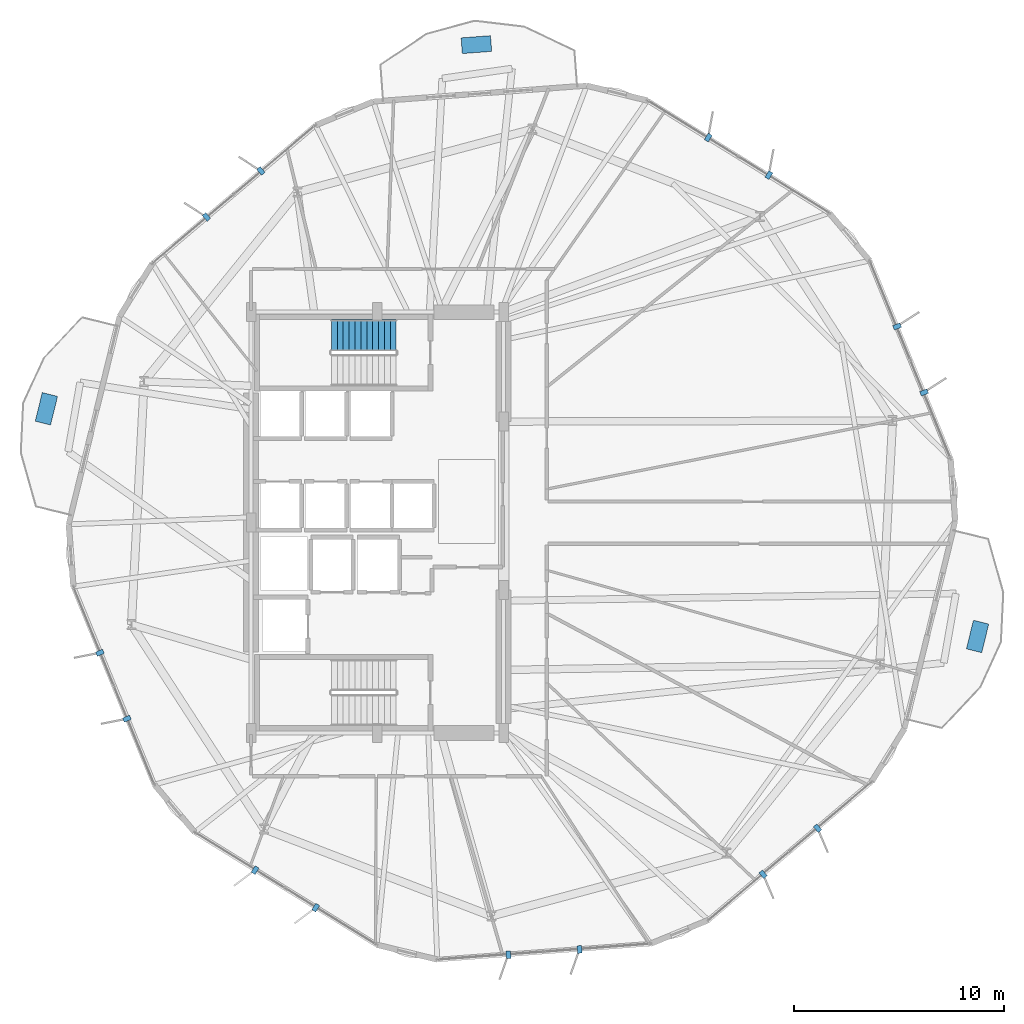
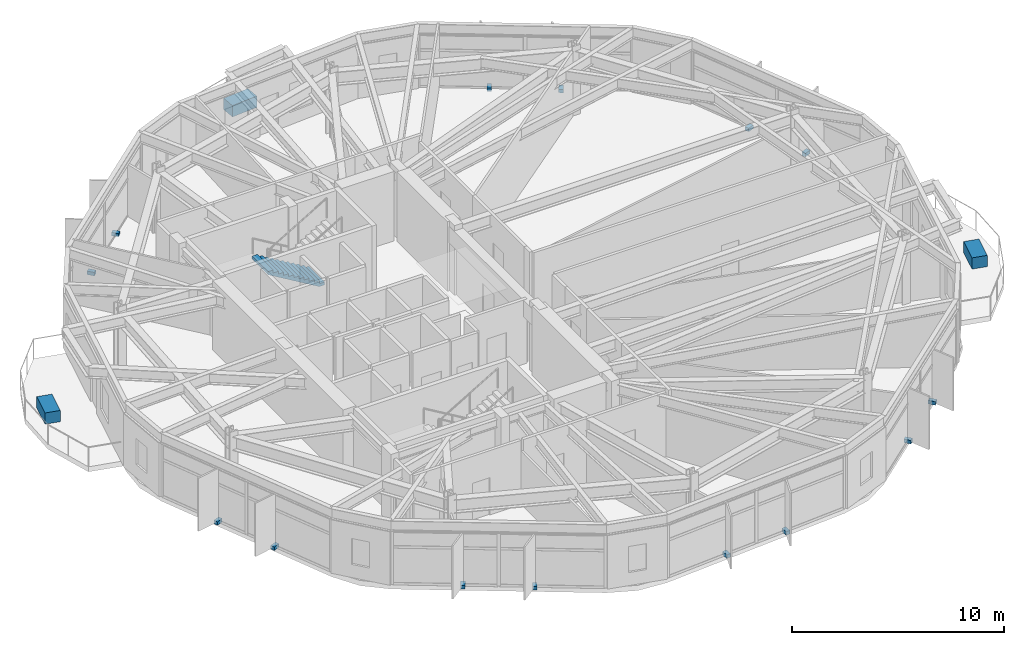
# One storey, part 19 of 22: 17 discrete accessories, 1 stair flight, 1 element without a shape of its own.
"""IFC4 building model written with IfcOpenShell, lengths in metres."""

from ifc_helpers import new_model, si_unit, direction, frame, origin, origin_2d, place, context, subcontext, project, spatial, polyline, rectangle, outline, extrude, material, layer, layer_set, type_object, element, aggregate, save


model = new_model("IFC4")

# Units and contexts
model_context = context("Model", 3, precision=1e-05, world=origin(), true_north=direction((0.0, 1.0)))
body_context = subcontext(model_context, "Body", "Model", "MODEL_VIEW")
ifc_project = project(units=[si_unit("LENGTHUNIT", "METRE"), si_unit("AREAUNIT", "SQUARE_METRE"), si_unit("VOLUMEUNIT", "CUBIC_METRE"), si_unit("PLANEANGLEUNIT", "RADIAN"), si_unit("MASSUNIT", "GRAM", prefix="KILO")], contexts=[model_context])

# Site, building, storey
site_placement = place(None, origin())
site = spatial("IfcSite", under=ifc_project, at=site_placement, CompositionType="ELEMENT")
building_placement = place(site_placement, origin())
building = spatial("IfcBuilding", under=site, at=building_placement, Name="Soratama Intermodal Tower", CompositionType="ELEMENT")
storey_placement = place(building_placement, frame((0.0, 0.0, 46.60009765625)))
storey = spatial("IfcBuildingStorey", under=building, at=storey_placement, Name="L10", CompositionType="ELEMENT", Elevation=46.60009765625)

# Stair, stair flight
ifc_material_1 = material(Name="Concrete f'c 42 MPa", Category="concrete")
stair_type = type_object("IfcStairType", Name="ST-CORE-DOGLEG", PredefinedType="HALF_TURN_STAIR", material=ifc_material_1)
stair_placement = place(storey_placement, origin())
stair = element("IfcStair", 1, at=stair_placement, inside=storey, type_object=stair_type, Name="L10 ST-2", PredefinedType="HALF_TURN_STAIR")
ifc_material_2 = material(Name="Precast concrete f'c 40 MPa", Category="concrete")
ifc_layer = layer(ifc_material_2, 0.199951171875)
ifc_layer_set = layer_set([ifc_layer], Name="Precast concrete f'c 40 MPa")
stair_flight_type = type_object("IfcStairFlightType", Name="SF-FLIGHT-RC", PredefinedType="STRAIGHT", material=ifc_layer_set)
stair_flight_placement = place(storey_placement, frame((39.5, 33.89990234375, 0.0), z_axis=(0.0, 0.0, 1.0), x_axis=(-1.0, 0.0, 0.0)))
stair_flight = element("IfcStairFlight", 2, at=stair_flight_placement, type_object=stair_flight_type, Name="ST-2 flight 1", NumberOfRisers=12, NumberOfTreads=11, PredefinedType="STRAIGHT", RiserHeight=0.166666667, TreadLength=0.28, context=body_context, shape_type="SweptSolid", body=[
    extrude(outline(polyline([(0.0, 0.0), (0.0, 0.166748046875), (0.280029296875, 0.166748046875), (0.280029296875, 0.333251953125), (0.56005859375, 0.333251953125), (0.56005859375, 0.5), (0.840087890625, 0.5), (0.840087890625, 0.666748046875), (1.1201171875, 0.666748046875), (1.1201171875, 0.833251953125), (1.39990234375, 0.833251953125), (1.39990234375, 1.0), (1.679931640625, 1.0), (1.679931640625, 1.166748046875), (1.9599609375, 1.166748046875), (1.9599609375, 1.333251953125), (2.239990234375, 1.333251953125), (2.239990234375, 1.5), (2.52001953125, 1.5), (2.52001953125, 1.666748046875), (2.800048828125, 1.666748046875), (2.800048828125, 1.833251953125), (3.080078125, 1.833251953125), (3.080078125, 2.0), (3.080078125, 1.658935546875), (0.29296875, 0.0), (0.0, 0.0)])), frame((0.0, 0.75, 0.0), z_axis=(0.0, -1.0, 0.0), x_axis=(1.0, 0.0, 0.0)), (0.0, 0.0, 1.0), 1.5),
])
aggregate(stair, [stair_flight])

# Discrete accessories
ifc_material_3 = material(Name="Structural steel ASTM A992 Grade 50", Category="steel")
discrete_accessory_type_1 = type_object("IfcDiscreteAccessoryType", Name="AC-FIN-BRACKET", PredefinedType="BRACKET", material=ifc_material_3)
for number, where, z_axis, x_axis, name in (
    (3, (64.579345703125, 31.18359375, -0.080078125), (0.0, 0.0, 1.0), (0.92547440327, 0.378810148876, 0.0), "L10 Fin Bracket F01-1"),
    (4, (63.2958984375, 34.3193359375, -0.080078125), (0.0, 0.0, 1.0), (0.92547440327, 0.378810148876, 0.0), "L10 Fin Bracket F01-2"),
    (5, (57.20556640625, 41.510986328125, -0.080078125), (0.0, 0.0, 1.0), (0.526065501177, 0.850444053699, 0.0), "L10 Fin Bracket F02-1"),
    (6, (54.323974609375, 43.293701171875, -0.080078125), (0.0, 0.0, 1.0), (0.526065501177, 0.850444053699, 0.0), "L10 Fin Bracket F02-2"),
    (7, (33.068603515625, 41.71044921875, -0.080078125), (0.0, 0.0, 1.0), (-0.646257178997, 0.76311968825, 0.0), "L10 Fin Bracket F04-1"),
    (8, (30.48291015625, 39.5205078125, -0.080078125), (0.0, 0.0, 1.0), (-0.646257178997, 0.76311968825, 0.0), "L10 Fin Bracket F04-2"),
    (9, (25.420654296875, 18.81640625, -0.080078125), (0.0, 0.0, 1.0), (-0.92547440327, -0.378810148876, 0.0), "L10 Fin Bracket F06-1"),
    (10, (26.7041015625, 15.6806640625, -0.080078125), (0.0, 0.0, 1.0), (-0.92547440327, -0.378810148876, 0.0), "L10 Fin Bracket F06-2"),
    (11, (32.79443359375, 8.489013671875, -0.080078125), (0.0, 0.0, 1.0), (-0.526065501177, -0.850444053699, 0.0), "L10 Fin Bracket F07-1"),
    (12, (35.676025390625, 6.706298828125, -0.080078125), (0.0, 0.0, 1.0), (-0.526065501177, -0.850444053699, 0.0), "L10 Fin Bracket F07-2"),
    (13, (44.83056640625, 4.468017578125, -0.080078125), (0.0, 0.0, 1.0), (0.074282542058, -0.997237235539, 0.0), "L10 Fin Bracket F08-1"),
    (14, (48.209716796875, 4.7197265625, -0.080078125), (0.0, 0.0, 1.0), (0.074282542058, -0.997237235539, 0.0), "L10 Fin Bracket F08-2"),
    (15, (56.931396484375, 8.28955078125, -0.080078125), (0.0, 0.0, 1.0), (0.646257178997, -0.76311968825, 0.0), "L10 Fin Bracket F09-1"),
    (16, (59.51708984375, 10.4794921875, -0.080078125), (0.0, 0.0, 1.0), (0.646257178997, -0.76311968825, 0.0), "L10 Fin Bracket F09-2"),
):
    element("IfcDiscreteAccessory", number, at=place(storey_placement, frame(where, z_axis=z_axis, x_axis=x_axis)), inside=storey, type_object=discrete_accessory_type_1, Name=name, PredefinedType="BRACKET", context=body_context, shape_type="SweptSolid", body=[
        extrude(rectangle(XDim=0.360107421875, YDim=0.219970703125, at=origin_2d()), origin(), (0.0, 0.0, 1.0), 0.199951171875),
    ])
ifc_material_4 = material(Name="Precast concrete f'c 40 MPa", Category="concrete")
discrete_accessory_type_2 = type_object("IfcDiscreteAccessoryType", Name="AC-PLANTER-TREE", PredefinedType="USERDEFINED", material=ifc_material_4)
for number, where, z_axis, x_axis, name in (
    (17, (67.12109375, 19.591064453125, 0.0), (0.0, 0.0, 1.0), (0.971383539033, -0.237516357534, 0.0), "L10 Tree Planter 1"),
    (18, (43.308349609375, 47.709716796875, 0.0), (0.0, 0.0, 1.0), (-0.074282542058, 0.997237235539, 0.0), "L10 Tree Planter 2"),
    (19, (22.87890625, 30.408935546875, 0.0), (0.0, 0.0, 1.0), (-0.971383539033, 0.237516357534, 0.0), "L10 Tree Planter 3"),
):
    element("IfcDiscreteAccessory", number, at=place(storey_placement, frame(where, z_axis=z_axis, x_axis=x_axis)), inside=storey, type_object=discrete_accessory_type_2, Name=name, ObjectType="PLANTER", PredefinedType="USERDEFINED", context=body_context, shape_type="SweptSolid", body=[
        extrude(rectangle(XDim=0.75, YDim=1.39990234375, at=origin_2d()), origin(), (0.0, 0.0, 1.0), 0.64990234375),
    ])

save(model, "model.ifc")
